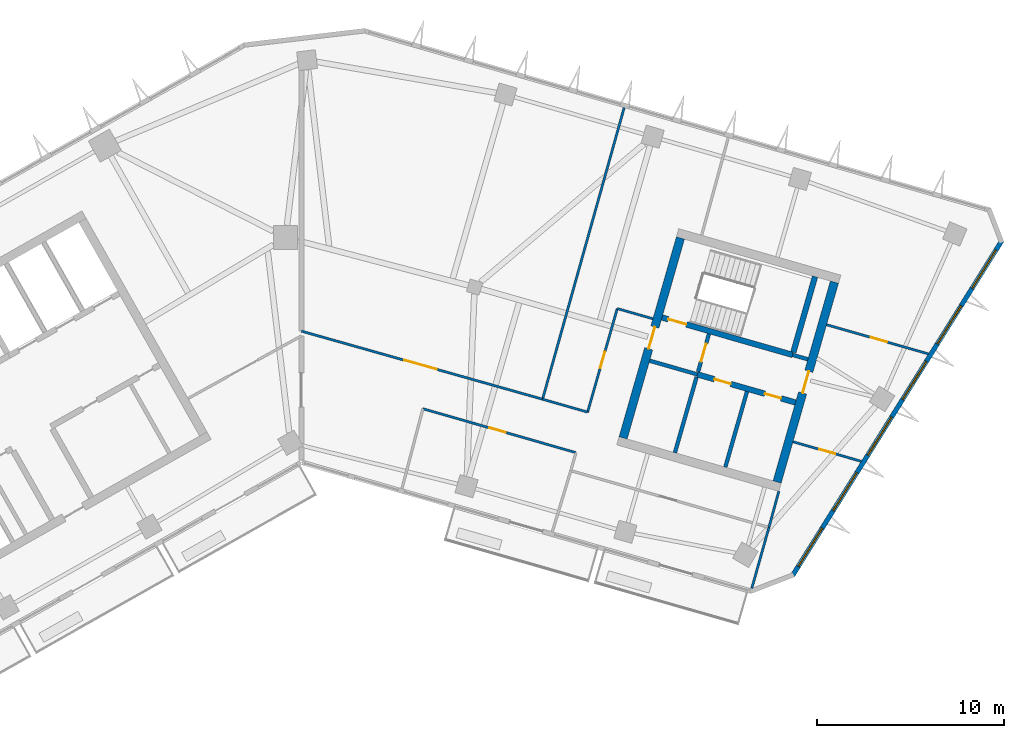
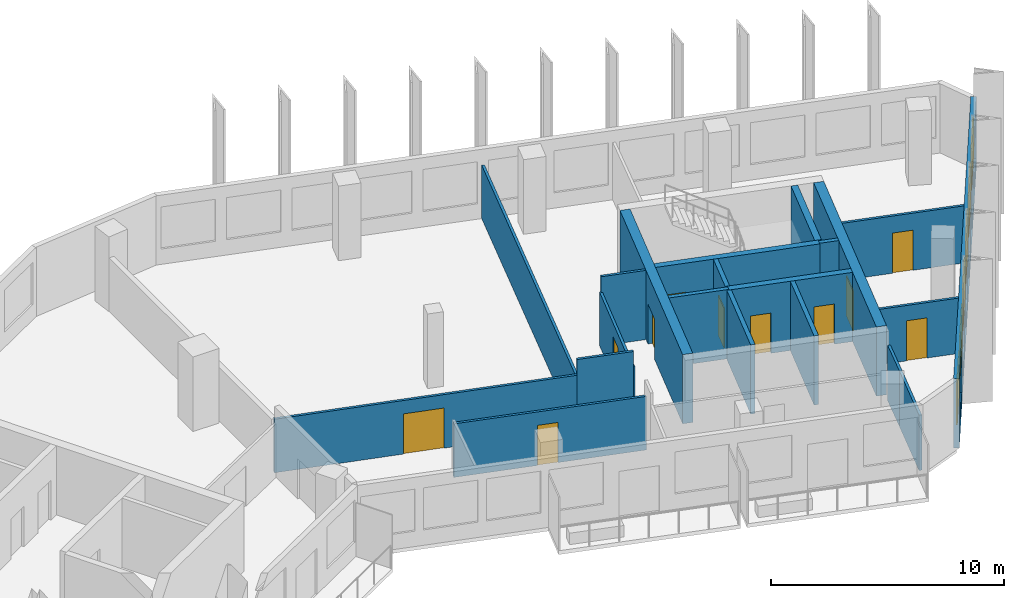
# One storey, part 7 of 11: 21 walls, 11 doors, 6 windows, 17 openings.
"""IFC4 building model written with IfcOpenShell, lengths in metres."""

from ifc_helpers import new_model, si_unit, direction, frame, frame_2d, origin, place, context, subcontext, project, spatial, rectangle, extrude, material, layer, layer_set, type_object, element, fill, save


model = new_model("IFC4")

# Units and contexts
model_context = context("Model", 3, precision=1e-05, world=origin(), true_north=direction((0.0, 1.0)))
body_context = subcontext(model_context, "Body", "Model", "MODEL_VIEW")
ifc_project = project(units=[si_unit("LENGTHUNIT", "METRE"), si_unit("AREAUNIT", "SQUARE_METRE"), si_unit("VOLUMEUNIT", "CUBIC_METRE"), si_unit("PLANEANGLEUNIT", "RADIAN"), si_unit("MASSUNIT", "GRAM", prefix="KILO")], contexts=[model_context])

# Site, building, storey
site_placement = place(None, origin())
site = spatial("IfcSite", under=ifc_project, at=site_placement, CompositionType="ELEMENT")
building_placement = place(site_placement, origin())
building = spatial("IfcBuilding", under=site, at=building_placement, Name="Binnacle Exchange Tower", CompositionType="ELEMENT")
storey_placement = place(building_placement, frame((0.0, 0.0, 223.10009765625)))
storey = spatial("IfcBuildingStorey", under=building, at=storey_placement, Name="L49", CompositionType="ELEMENT", Elevation=223.10009765625)

# Wall
ifc_material_1 = material(Name="Gypsum partition fire rated")
ifc_layer_1 = layer(ifc_material_1, 0.199951171875)
ifc_layer_set_1 = layer_set([ifc_layer_1], Name="Core partition 200")
wall_type_1 = type_object("IfcWallType", Name="Core partition 200", PredefinedType="PARTITIONING", material=ifc_layer_set_1)
wall_1_placement = place(storey_placement, frame((22.623291015625, 47.7392578125, 0.0), z_axis=(0.0, 0.0, 1.0), x_axis=(0.275642273411, 0.961260285827, 0.0)))
element("IfcWall", 1, at=wall_1_placement, inside=storey, type_object=wall_type_1, Name="Core wall CRWD10", PredefinedType="PARTITIONING", context=body_context, shape_type="SweptSolid", body=[
    extrude(rectangle(XDim=4.199951171875, YDim=0.199951171875, at=frame_2d((2.10009765625, 0.0))), origin(), (0.0, 0.0, 1.0), 3.619873046875),
])

# Wall, openings, doors
ifc_material_2 = material(Name="Concrete C70/85", Category="concrete")
ifc_layer_2 = layer(ifc_material_2, 0.300048828125)
ifc_layer_set_2 = layer_set([ifc_layer_2], Name="Core wall - front 300")
wall_type_2 = type_object("IfcWallType", Name="Core wall - front 300", PredefinedType="SOLIDWALL", material=ifc_layer_set_2)
wall_2_placement = place(storey_placement, frame((21.130859375, 52.6923828125, 0.0), z_axis=(0.0, 0.0, 1.0), x_axis=(0.961261488075, -0.275638080722, 0.0)))
wall_2 = element("IfcWall", 2, at=wall_2_placement, inside=storey, type_object=wall_type_2, Name="Core wall CRWD3", PredefinedType="SOLIDWALL", context=body_context, shape_type="SweptSolid", body=[
    extrude(rectangle(XDim=5.449951171875, YDim=0.300048828125, at=frame_2d((2.72509765625, 0.0))), origin(), (0.0, 0.0, 1.0), 3.619873046875),
])
opening_1_placement = place(wall_2_placement, frame((0.949951171875, 0.0, 0.0)))
opening_1 = element("IfcOpeningElement", 3, at=opening_1_placement, cuts=wall_2, Name="Opening DD10", PredefinedType="OPENING", context=body_context, shape_type="SweptSolid", body=[
    extrude(rectangle(XDim=0.89990234375, YDim=2.10009765625, at=frame_2d((0.449951171875, 1.050048828125))), frame((0.0, 0.159912109375, 0.0), z_axis=(0.0, -1.0, 0.0), x_axis=(1.0, 0.0, 0.0)), (0.0, 0.0, 1.0), 0.320068359375),
])
opening_2_placement = place(wall_2_placement, frame((3.75, 0.0, 0.0)))
opening_2 = element("IfcOpeningElement", 4, at=opening_2_placement, cuts=wall_2, Name="Opening DD11", PredefinedType="OPENING", context=body_context, shape_type="SweptSolid", body=[
    extrude(rectangle(XDim=0.89990234375, YDim=2.10009765625, at=frame_2d((0.449951171875, 1.050048828125))), frame((0.0, 0.159912109375, 0.0), z_axis=(0.0, -1.0, 0.0), x_axis=(1.0, 0.0, 0.0)), (0.0, 0.0, 1.0), 0.320068359375),
])
ifc_material_3 = material(Name="Steel door leaf", Category="steel")
door_type_1 = type_object("IfcDoorType", Name="Fire door 900", OperationType="NOTDEFINED", PredefinedType="DOOR", material=ifc_material_3)
door_1_placement = place(opening_1_placement, frame((0.89990234375, 0.0, 0.0), z_axis=(0.0, 0.0, 1.0), x_axis=(-1.0, 0.0, 0.0)))
door_1 = element("IfcDoor", 5, at=door_1_placement, inside=storey, type_object=door_type_1, Name="Core room door COMMS RISER ROOM", OperationType="SINGLE_SWING_RIGHT", OverallHeight=2.10009765625, OverallWidth=0.89990234375, PredefinedType="DOOR", context=body_context, shape_type="SweptSolid", body=[
    extrude(rectangle(XDim=0.89990234375, YDim=2.10009765625, at=frame_2d((0.449951171875, 1.050048828125))), frame((0.0, 0.02490234375, 0.0), z_axis=(0.0, -1.0, 0.0), x_axis=(1.0, 0.0, 0.0)), (0.0, 0.0, 1.0), 0.050048828125),
])
fill(opening_1, door_1)
door_2_placement = place(opening_2_placement, frame((0.89990234375, 0.0, 0.0), z_axis=(0.0, 0.0, 1.0), x_axis=(-1.0, 0.0, 0.0)))
door_2 = element("IfcDoor", 6, at=door_2_placement, inside=storey, type_object=door_type_1, Name="Core room door CLEANERS STORE", OperationType="SINGLE_SWING_LEFT", OverallHeight=2.10009765625, OverallWidth=0.89990234375, PredefinedType="DOOR", context=body_context, shape_type="SweptSolid", body=[
    extrude(rectangle(XDim=0.89990234375, YDim=2.10009765625, at=frame_2d((0.449951171875, 1.050048828125))), frame((0.0, 0.02490234375, 0.0), z_axis=(0.0, -1.0, 0.0), x_axis=(1.0, 0.0, 0.0)), (0.0, 0.0, 1.0), 0.050048828125),
])
fill(opening_2, door_2)

# Wall, opening, door
ifc_layer_3 = layer(ifc_material_2, 0.449951171875)
ifc_layer_set_3 = layer_set([ifc_layer_3], Name="Core wall - outer 450")
wall_type_3 = type_object("IfcWallType", Name="Core wall - outer 450", PredefinedType="SOLIDWALL", material=ifc_layer_set_3)
wall_3_placement = place(storey_placement, frame((17.168212890625, 49.303466796875, 0.0), z_axis=(0.0, 0.0, 1.0), x_axis=(0.275638974822, 0.961261231695, 0.0)))
wall_3 = element("IfcWall", 7, at=wall_3_placement, inside=storey, type_object=wall_type_3, Name="Core wall CRWD7", PredefinedType="SOLIDWALL", context=body_context, shape_type="SweptSolid", body=[
    extrude(rectangle(XDim=11.099853515625, YDim=0.449951171875, at=frame_2d((5.5498046875, 0.0))), origin(), (0.0, 0.0, 1.0), 3.619873046875),
])
opening_3_placement = place(wall_3_placement, frame((4.9501953125, 0.0, 0.0)))
opening_3 = element("IfcOpeningElement", 8, at=opening_3_placement, cuts=wall_3, Name="Opening DD5", PredefinedType="OPENING", context=body_context, shape_type="SweptSolid", body=[
    extrude(rectangle(XDim=1.199951171875, YDim=2.10009765625, at=frame_2d((0.60009765625, 1.050048828125))), frame((0.0, 0.23486328125, 0.0), z_axis=(0.0, -1.0, 0.0), x_axis=(1.0, 0.0, 0.0)), (0.0, 0.0, 1.0), 0.469970703125),
])
door_type_2 = type_object("IfcDoorType", Name="Fire door 1200", OperationType="NOTDEFINED", PredefinedType="DOOR", material=ifc_material_3)
door_3_placement = place(opening_3_placement, origin())
door_3 = element("IfcDoor", 9, at=door_3_placement, inside=storey, type_object=door_type_2, Name="Vestibule exit door VEST-W", OperationType="SINGLE_SWING_RIGHT", OverallHeight=2.10009765625, OverallWidth=1.199951171875, PredefinedType="DOOR", context=body_context, shape_type="SweptSolid", body=[
    extrude(rectangle(XDim=1.199951171875, YDim=2.10009765625, at=frame_2d((0.60009765625, 1.050048828125))), frame((0.0, 0.02490234375, 0.0), z_axis=(0.0, -1.0, 0.0), x_axis=(1.0, 0.0, 0.0)), (0.0, 0.0, 1.0), 0.050048828125),
])
fill(opening_3, door_3)

wall_4_placement = place(storey_placement, frame((25.386962890625, 46.94677734375, 0.0), z_axis=(0.0, 0.0, 1.0), x_axis=(0.275638974822, 0.961261231695, 0.0)))
wall_4 = element("IfcWall", 10, at=wall_4_placement, inside=storey, type_object=wall_type_3, Name="Core wall CRWD12", PredefinedType="SOLIDWALL", context=body_context, shape_type="SweptSolid", body=[
    extrude(rectangle(XDim=11.099853515625, YDim=0.449951171875, at=frame_2d((5.5498046875, 0.0))), origin(), (0.0, 0.0, 1.0), 3.619873046875),
])
opening_4_placement = place(wall_4_placement, frame((4.949951171875, 0.0, 0.0)))
opening_4 = element("IfcOpeningElement", 11, at=opening_4_placement, cuts=wall_4, Name="Opening DD6", PredefinedType="OPENING", context=body_context, shape_type="SweptSolid", body=[
    extrude(rectangle(XDim=1.199951171875, YDim=2.10009765625, at=frame_2d((0.60009765625, 1.050048828125))), frame((0.0, 0.23486328125, 0.0), z_axis=(0.0, -1.0, 0.0), x_axis=(1.0, 0.0, 0.0)), (0.0, 0.0, 1.0), 0.469970703125),
])
door_4_placement = place(opening_4_placement, frame((1.199951171875, 0.0, 0.0), z_axis=(0.0, 0.0, 1.0), x_axis=(-1.0, 0.0, 0.0)))
door_4 = element("IfcDoor", 12, at=door_4_placement, inside=storey, type_object=door_type_2, Name="Core passage exit door", OperationType="SINGLE_SWING_RIGHT", OverallHeight=2.10009765625, OverallWidth=1.199951171875, PredefinedType="DOOR", context=body_context, shape_type="SweptSolid", body=[
    extrude(rectangle(XDim=1.199951171875, YDim=2.10009765625, at=frame_2d((0.60009765625, 1.050048828125))), frame((0.0, 0.02490234375, 0.0), z_axis=(0.0, -1.0, 0.0), x_axis=(1.0, 0.0, 0.0)), (0.0, 0.0, 1.0), 0.050048828125),
])
fill(opening_4, door_4)

ifc_layer_4 = layer(ifc_material_2, 0.300048828125)
ifc_layer_set_4 = layer_set([ifc_layer_4], Name="Core wall - stair 300")
wall_type_4 = type_object("IfcWallType", Name="Core wall - stair 300", PredefinedType="SOLIDWALL", material=ifc_layer_set_4)
wall_5_placement = place(storey_placement, frame((19.2451171875, 55.72998046875, 0.0), z_axis=(0.0, 0.0, 1.0), x_axis=(0.961263007877, -0.275632780503, 0.0)))
wall_5 = element("IfcWall", 13, at=wall_5_placement, inside=storey, type_object=wall_type_4, Name="Core wall CRWD4", PredefinedType="SOLIDWALL", context=body_context, shape_type="SweptSolid", body=[
    extrude(rectangle(XDim=7.249755859375, YDim=0.300048828125, at=frame_2d((3.625, 0.0))), origin(), (0.0, 0.0, 1.0), 3.619873046875),
])
opening_5_placement = place(wall_5_placement, frame((0.35009765625, 0.0, 0.0)))
opening_5 = element("IfcOpeningElement", 14, at=opening_5_placement, cuts=wall_5, Name="Opening DD1", PredefinedType="OPENING", context=body_context, shape_type="SweptSolid", body=[
    extrude(rectangle(XDim=1.0, YDim=2.10009765625, at=frame_2d((0.5, 1.050048828125))), frame((0.0, 0.159912109375, 0.0), z_axis=(0.0, -1.0, 0.0), x_axis=(1.0, 0.0, 0.0)), (0.0, 0.0, 1.0), 0.320068359375),
])
door_type_3 = type_object("IfcDoorType", Name="Fire door 1000", OperationType="NOTDEFINED", PredefinedType="DOOR", material=ifc_material_3)
door_5_placement = place(opening_5_placement, origin())
door_5 = element("IfcDoor", 15, at=door_5_placement, inside=storey, type_object=door_type_3, Name="Stair door ST-D1", OperationType="SINGLE_SWING_LEFT", OverallHeight=2.10009765625, OverallWidth=1.0, PredefinedType="DOOR", context=body_context, shape_type="SweptSolid", body=[
    extrude(rectangle(XDim=1.0, YDim=2.10009765625, at=frame_2d((0.5, 1.050048828125))), frame((0.0, 0.02490234375, 0.0), z_axis=(0.0, -1.0, 0.0), x_axis=(1.0, 0.0, 0.0)), (0.0, 0.0, 1.0), 0.050048828125),
])
fill(opening_5, door_5)

# Wall
wall_6_placement = place(storey_placement, frame((26.255615234375, 53.875732421875, 0.0), z_axis=(0.0, 0.0, 1.0), x_axis=(0.275588560745, 0.96127568636, 0.0)))
element("IfcWall", 16, at=wall_6_placement, inside=storey, type_object=wall_type_4, Name="Core wall CRWD11", PredefinedType="SOLIDWALL", context=body_context, shape_type="SweptSolid", body=[
    extrude(rectangle(XDim=4.199951171875, YDim=0.300048828125, at=frame_2d((2.10009765625, 0.0))), origin(), (0.0, 0.0, 1.0), 3.619873046875),
])

# Wall, openings, windows
ifc_material_4 = material(Name="Bronze aluminium cladding", Category="aluminium")
ifc_layer_5 = layer(ifc_material_4, 0.25)
ifc_layer_set_5 = layer_set([ifc_layer_5], Name="External wall - window wall 250")
wall_type_5 = type_object("IfcWallType", Name="External wall - window wall 250", PredefinedType="STANDARD", material=ifc_layer_set_5)
wall_7_placement = place(storey_placement, frame((37.392333984375, 59.84033203125, 0.0), z_axis=(0.0, 0.0, 1.0), x_axis=(-0.529919909431, -0.848047692992, 0.0)))
wall_7 = element("IfcWall", 17, at=wall_7_placement, inside=storey, type_object=wall_type_5, Name="External wall EW-G04 L49", PredefinedType="STANDARD", context=body_context, shape_type="SweptSolid", body=[
    extrude(rectangle(XDim=21.104248046875, YDim=0.25, at=frame_2d((10.55224609375, 0.0))), origin(), (0.0, 0.0, 1.0), 3.619873046875),
])
opening_6_placement = place(wall_7_placement, frame((18.1123046875, 0.0, 0.800048828125)))
opening_6 = element("IfcOpeningElement", 18, at=opening_6_placement, cuts=wall_7, Name="Opening WR1", PredefinedType="OPENING", context=body_context, shape_type="SweptSolid", body=[
    extrude(rectangle(XDim=2.39990234375, YDim=2.199951171875, at=frame_2d((1.199951171875, 1.10009765625))), frame((0.0, 0.135009765625, 0.0), z_axis=(0.0, -1.0, 0.0), x_axis=(1.0, 0.0, 0.0)), (0.0, 0.0, 1.0), 0.27001953125),
])
opening_7_placement = place(wall_7_placement, frame((14.6123046875, 0.0, 0.800048828125)))
opening_7 = element("IfcOpeningElement", 19, at=opening_7_placement, cuts=wall_7, Name="Opening WR1", PredefinedType="OPENING", context=body_context, shape_type="SweptSolid", body=[
    extrude(rectangle(XDim=2.39990234375, YDim=2.199951171875, at=frame_2d((1.199951171875, 1.10009765625))), frame((0.0, 0.135009765625, 0.0), z_axis=(0.0, -1.0, 0.0), x_axis=(1.0, 0.0, 0.0)), (0.0, 0.0, 1.0), 0.27001953125),
])
opening_8_placement = place(wall_7_placement, frame((11.1123046875, 0.0, 0.800048828125)))
opening_8 = element("IfcOpeningElement", 20, at=opening_8_placement, cuts=wall_7, Name="Opening WR1", PredefinedType="OPENING", context=body_context, shape_type="SweptSolid", body=[
    extrude(rectangle(XDim=2.39990234375, YDim=2.199951171875, at=frame_2d((1.199951171875, 1.10009765625))), frame((0.0, 0.135009765625, 0.0), z_axis=(0.0, -1.0, 0.0), x_axis=(1.0, 0.0, 0.0)), (0.0, 0.0, 1.0), 0.27001953125),
])
opening_9_placement = place(wall_7_placement, frame((7.6123046875, 0.0, 0.800048828125)))
opening_9 = element("IfcOpeningElement", 21, at=opening_9_placement, cuts=wall_7, Name="Opening WR1", PredefinedType="OPENING", context=body_context, shape_type="SweptSolid", body=[
    extrude(rectangle(XDim=2.39990234375, YDim=2.199951171875, at=frame_2d((1.199951171875, 1.10009765625))), frame((0.0, 0.135009765625, 0.0), z_axis=(0.0, -1.0, 0.0), x_axis=(1.0, 0.0, 0.0)), (0.0, 0.0, 1.0), 0.27001953125),
])
opening_10_placement = place(wall_7_placement, frame((4.1123046875, 0.0, 0.800048828125)))
opening_10 = element("IfcOpeningElement", 22, at=opening_10_placement, cuts=wall_7, Name="Opening WR1", PredefinedType="OPENING", context=body_context, shape_type="SweptSolid", body=[
    extrude(rectangle(XDim=2.39990234375, YDim=2.199951171875, at=frame_2d((1.199951171875, 1.10009765625))), frame((0.0, 0.135009765625, 0.0), z_axis=(0.0, -1.0, 0.0), x_axis=(1.0, 0.0, 0.0)), (0.0, 0.0, 1.0), 0.27001953125),
])
opening_11_placement = place(wall_7_placement, frame((0.6123046875, 0.0, 0.800048828125)))
opening_11 = element("IfcOpeningElement", 23, at=opening_11_placement, cuts=wall_7, Name="Opening WR1", PredefinedType="OPENING", context=body_context, shape_type="SweptSolid", body=[
    extrude(rectangle(XDim=2.39990234375, YDim=2.199951171875, at=frame_2d((1.199951171875, 1.10009765625))), frame((0.0, 0.135009765625, 0.0), z_axis=(0.0, -1.0, 0.0), x_axis=(1.0, 0.0, 0.0)), (0.0, 0.0, 1.0), 0.27001953125),
])
ifc_material_5 = material(Name="Bronze anodised aluminium frame", Category="aluminium")
window_type = type_object("IfcWindowType", Name="WR1 WINDOW 2400x2200", PartitioningType="SINGLE_PANEL", PredefinedType="WINDOW", material=ifc_material_5)
window_1_placement = place(opening_6_placement, origin())
window_1 = element("IfcWindow", 24, at=window_1_placement, inside=storey, type_object=window_type, Name="Window WR1 L49", OverallHeight=2.199951171875, OverallWidth=2.39990234375, PartitioningType="SINGLE_PANEL", PredefinedType="WINDOW", context=body_context, shape_type="SweptSolid", body=[
    extrude(rectangle(XDim=2.39990234375, YDim=2.199951171875, at=frame_2d((1.199951171875, 1.10009765625))), frame((0.0, 0.030029296875, 0.0), z_axis=(0.0, -1.0, 0.0), x_axis=(1.0, 0.0, 0.0)), (0.0, 0.0, 1.0), 0.06005859375),
])
fill(opening_6, window_1)
window_2_placement = place(opening_7_placement, origin())
window_2 = element("IfcWindow", 25, at=window_2_placement, inside=storey, type_object=window_type, Name="Window WR1 L49", OverallHeight=2.199951171875, OverallWidth=2.39990234375, PartitioningType="SINGLE_PANEL", PredefinedType="WINDOW", context=body_context, shape_type="SweptSolid", body=[
    extrude(rectangle(XDim=2.39990234375, YDim=2.199951171875, at=frame_2d((1.199951171875, 1.10009765625))), frame((0.0, 0.030029296875, 0.0), z_axis=(0.0, -1.0, 0.0), x_axis=(1.0, 0.0, 0.0)), (0.0, 0.0, 1.0), 0.06005859375),
])
fill(opening_7, window_2)
window_3_placement = place(opening_8_placement, origin())
window_3 = element("IfcWindow", 26, at=window_3_placement, inside=storey, type_object=window_type, Name="Window WR1 L49", OverallHeight=2.199951171875, OverallWidth=2.39990234375, PartitioningType="SINGLE_PANEL", PredefinedType="WINDOW", context=body_context, shape_type="SweptSolid", body=[
    extrude(rectangle(XDim=2.39990234375, YDim=2.199951171875, at=frame_2d((1.199951171875, 1.10009765625))), frame((0.0, 0.030029296875, 0.0), z_axis=(0.0, -1.0, 0.0), x_axis=(1.0, 0.0, 0.0)), (0.0, 0.0, 1.0), 0.06005859375),
])
fill(opening_8, window_3)
window_4_placement = place(opening_9_placement, origin())
window_4 = element("IfcWindow", 27, at=window_4_placement, inside=storey, type_object=window_type, Name="Window WR1 L49", OverallHeight=2.199951171875, OverallWidth=2.39990234375, PartitioningType="SINGLE_PANEL", PredefinedType="WINDOW", context=body_context, shape_type="SweptSolid", body=[
    extrude(rectangle(XDim=2.39990234375, YDim=2.199951171875, at=frame_2d((1.199951171875, 1.10009765625))), frame((0.0, 0.030029296875, 0.0), z_axis=(0.0, -1.0, 0.0), x_axis=(1.0, 0.0, 0.0)), (0.0, 0.0, 1.0), 0.06005859375),
])
fill(opening_9, window_4)
window_5_placement = place(opening_10_placement, origin())
window_5 = element("IfcWindow", 28, at=window_5_placement, inside=storey, type_object=window_type, Name="Window WR1 L49", OverallHeight=2.199951171875, OverallWidth=2.39990234375, PartitioningType="SINGLE_PANEL", PredefinedType="WINDOW", context=body_context, shape_type="SweptSolid", body=[
    extrude(rectangle(XDim=2.39990234375, YDim=2.199951171875, at=frame_2d((1.199951171875, 1.10009765625))), frame((0.0, 0.030029296875, 0.0), z_axis=(0.0, -1.0, 0.0), x_axis=(1.0, 0.0, 0.0)), (0.0, 0.0, 1.0), 0.06005859375),
])
fill(opening_10, window_5)
window_6_placement = place(opening_11_placement, origin())
window_6 = element("IfcWindow", 29, at=window_6_placement, inside=storey, type_object=window_type, Name="Window WR1 L49", OverallHeight=2.199951171875, OverallWidth=2.39990234375, PartitioningType="SINGLE_PANEL", PredefinedType="WINDOW", context=body_context, shape_type="SweptSolid", body=[
    extrude(rectangle(XDim=2.39990234375, YDim=2.199951171875, at=frame_2d((1.199951171875, 1.10009765625))), frame((0.0, 0.030029296875, 0.0), z_axis=(0.0, -1.0, 0.0), x_axis=(1.0, 0.0, 0.0)), (0.0, 0.0, 1.0), 0.06005859375),
])
fill(opening_11, window_6)

# Wall, opening, door
ifc_material_6 = material(Name="Masonry block wall", Category="masonry")
ifc_layer_6 = layer(ifc_material_6, 0.199951171875)
ifc_layer_set_6 = layer_set([ifc_layer_6], Name="Fire wall - vestibule 200")
wall_type_6 = type_object("IfcWallType", Name="Fire wall - vestibule 200", PredefinedType="PARTITIONING", material=ifc_layer_set_6)
wall_8_placement = place(storey_placement, frame((21.172119140625, 52.836669921875, 0.0), z_axis=(0.0, 0.0, 1.0), x_axis=(0.275657676022, 0.961255868981, 0.0)))
wall_8 = element("IfcWall", 30, at=wall_8_placement, inside=storey, type_object=wall_type_6, Name="Core wall CRWD9", PredefinedType="PARTITIONING", context=body_context, shape_type="SweptSolid", body=[
    extrude(rectangle(XDim=2.099853515625, YDim=0.199951171875, at=frame_2d((1.0498046875, 0.0))), origin(), (0.0, 0.0, 1.0), 3.619873046875),
])
opening_12_placement = place(wall_8_placement, frame((0.550048828125, 0.0, 0.0)))
opening_12 = element("IfcOpeningElement", 31, at=opening_12_placement, cuts=wall_8, Name="Opening DD3", PredefinedType="OPENING", context=body_context, shape_type="SweptSolid", body=[
    extrude(rectangle(XDim=1.0, YDim=2.10009765625, at=frame_2d((0.5, 1.050048828125))), frame((0.0, 0.10986328125, 0.0), z_axis=(0.0, -1.0, 0.0), x_axis=(1.0, 0.0, 0.0)), (0.0, 0.0, 1.0), 0.219970703125),
])
door_6_placement = place(opening_12_placement, origin())
door_6 = element("IfcDoor", 32, at=door_6_placement, inside=storey, type_object=door_type_3, Name="Vestibule door VEST-W", OperationType="SINGLE_SWING_RIGHT", OverallHeight=2.10009765625, OverallWidth=1.0, PredefinedType="DOOR", context=body_context, shape_type="SweptSolid", body=[
    extrude(rectangle(XDim=1.0, YDim=2.10009765625, at=frame_2d((0.5, 1.050048828125))), frame((0.0, 0.02490234375, 0.0), z_axis=(0.0, -1.0, 0.0), x_axis=(1.0, 0.0, 0.0)), (0.0, 0.0, 1.0), 0.050048828125),
])
fill(opening_12, door_6)

ifc_material_7 = material(Name="Gypsum partition")
ifc_layer_7 = layer(ifc_material_7, 0.125)
ifc_layer_set_7 = layer_set([ifc_layer_7], Name="Partition 125")
wall_type_7 = type_object("IfcWallType", Name="Partition 125", PredefinedType="PARTITIONING", material=ifc_layer_set_7)
wall_9_placement = place(storey_placement, frame((0.0, 55.0, 0.0), z_axis=(0.0, 0.0, 1.0), x_axis=(0.962402937884, -0.271625818271, 0.0)))
wall_9 = element("IfcWall", 33, at=wall_9_placement, inside=storey, type_object=wall_type_7, Name="Partition W24", PredefinedType="PARTITIONING", context=body_context, shape_type="SweptSolid", body=[
    extrude(rectangle(XDim=13.37158203125, YDim=0.125, at=frame_2d((6.685791015625, 0.0))), origin(), (0.0, 0.0, 1.0), 2.7998046875),
])
opening_13_placement = place(wall_9_placement, frame((5.699951171875, 0.0, 0.0)))
opening_13 = element("IfcOpeningElement", 34, at=opening_13_placement, cuts=wall_9, Name="Opening DL48-10", PredefinedType="OPENING", context=body_context, shape_type="SweptSolid", body=[
    extrude(rectangle(XDim=1.800048828125, YDim=2.10009765625, at=frame_2d((0.89990234375, 1.050048828125))), frame((0.0, 0.072509765625, 0.0), z_axis=(0.0, -1.0, 0.0), x_axis=(1.0, 0.0, 0.0)), (0.0, 0.0, 1.0), 0.14501953125),
])
ifc_material_8 = material(Name="Timber door leaf", Category="wood")
door_type_4 = type_object("IfcDoorType", Name="Double door 1800", OperationType="NOTDEFINED", PredefinedType="DOOR", material=ifc_material_8)
door_7_placement = place(opening_13_placement, origin())
door_7 = element("IfcDoor", 35, at=door_7_placement, inside=storey, type_object=door_type_4, Name="Door DL48-10", OperationType="DOUBLE_DOOR_SINGLE_SWING", OverallHeight=2.10009765625, OverallWidth=1.800048828125, PredefinedType="DOOR", context=body_context, shape_type="SweptSolid", body=[
    extrude(rectangle(XDim=1.800048828125, YDim=2.10009765625, at=frame_2d((0.89990234375, 1.050048828125))), frame((0.0, 0.02490234375, 0.0), z_axis=(0.0, -1.0, 0.0), x_axis=(1.0, 0.0, 0.0)), (0.0, 0.0, 1.0), 0.050048828125),
])
fill(opening_13, door_7)

wall_10_placement = place(storey_placement, frame((6.48193359375, 50.85888671875, 0.0), z_axis=(0.0, 0.0, 1.0), x_axis=(0.961261196169, -0.275639098713, 0.0)))
wall_10 = element("IfcWall", 36, at=wall_10_placement, inside=storey, type_object=wall_type_7, Name="Partition W26", PredefinedType="PARTITIONING", context=body_context, shape_type="SweptSolid", body=[
    extrude(rectangle(XDim=8.49951171875, YDim=0.125, at=frame_2d((4.249755859375, 0.0))), origin(), (0.0, 0.0, 1.0), 2.7998046875),
])
opening_14_placement = place(wall_10_placement, frame((3.699951171875, 0.0, 0.0)))
opening_14 = element("IfcOpeningElement", 37, at=opening_14_placement, cuts=wall_10, Name="Opening DL48-12", PredefinedType="OPENING", context=body_context, shape_type="SweptSolid", body=[
    extrude(rectangle(XDim=0.89990234375, YDim=2.10009765625, at=frame_2d((0.449951171875, 1.050048828125))), frame((0.0, 0.072509765625, 0.0), z_axis=(0.0, -1.0, 0.0), x_axis=(1.0, 0.0, 0.0)), (0.0, 0.0, 1.0), 0.14501953125),
])
door_type_5 = type_object("IfcDoorType", Name="Door 900", OperationType="NOTDEFINED", PredefinedType="DOOR", material=ifc_material_8)
door_8_placement = place(opening_14_placement, frame((0.89990234375, 0.0, 0.0), z_axis=(0.0, 0.0, 1.0), x_axis=(-1.0, 0.0, 0.0)))
door_8 = element("IfcDoor", 38, at=door_8_placement, inside=storey, type_object=door_type_5, Name="Door DL48-12", OperationType="SINGLE_SWING_RIGHT", OverallHeight=2.10009765625, OverallWidth=0.89990234375, PredefinedType="DOOR", context=body_context, shape_type="SweptSolid", body=[
    extrude(rectangle(XDim=0.89990234375, YDim=2.10009765625, at=frame_2d((0.449951171875, 1.050048828125))), frame((0.0, 0.02490234375, 0.0), z_axis=(0.0, -1.0, 0.0), x_axis=(1.0, 0.0, 0.0)), (0.0, 0.0, 1.0), 0.050048828125),
])
fill(opening_14, door_8)

# Walls
wall_11_placement = place(storey_placement, frame((12.868896484375, 51.367919921875, 0.0), z_axis=(0.0, 0.0, 1.0), x_axis=(0.961302601161, -0.275494662382, 0.0)))
element("IfcWall", 39, at=wall_11_placement, inside=storey, type_object=wall_type_7, Name="Partition W27", PredefinedType="PARTITIONING", context=body_context, shape_type="SweptSolid", body=[
    extrude(rectangle(XDim=2.500732421875, YDim=0.125, at=frame_2d((1.25048828125, 0.0))), origin(), (0.0, 0.0, 1.0), 3.619873046875),
])
wall_12_placement = place(storey_placement, frame((12.868896484375, 51.367919921875, 0.0), z_axis=(0.0, 0.0, 1.0), x_axis=(0.269547555311, 0.962987079574, 0.0)))
element("IfcWall", 40, at=wall_12_placement, inside=storey, type_object=wall_type_7, Name="Partition W28", PredefinedType="PARTITIONING", context=body_context, shape_type="SweptSolid", body=[
    extrude(rectangle(XDim=16.1611328125, YDim=0.125, at=frame_2d((8.08056640625, 0.0))), origin(), (0.0, 0.0, 1.0), 2.7919921875),
])

# Wall, opening, door
wall_13_placement = place(storey_placement, frame((15.27294921875, 50.678955078125, 0.0), z_axis=(0.0, 0.0, 1.0), x_axis=(0.275494973205, 0.961302512084, 0.0)))
wall_13 = element("IfcWall", 41, at=wall_13_placement, inside=storey, type_object=wall_type_7, Name="Partition W32", PredefinedType="PARTITIONING", context=body_context, shape_type="SweptSolid", body=[
    extrude(rectangle(XDim=5.74951171875, YDim=0.125, at=frame_2d((2.874755859375, 0.0))), origin(), (0.0, 0.0, 1.0), 2.7998046875),
])
opening_15_placement = place(wall_13_placement, frame((2.449951171875, 0.0, 0.0)))
opening_15 = element("IfcOpeningElement", 42, at=opening_15_placement, cuts=wall_13, Name="Opening DL48-11", PredefinedType="OPENING", context=body_context, shape_type="SweptSolid", body=[
    extrude(rectangle(XDim=0.89990234375, YDim=2.10009765625, at=frame_2d((0.449951171875, 1.050048828125))), frame((0.0, 0.072509765625, 0.0), z_axis=(0.0, -1.0, 0.0), x_axis=(1.0, 0.0, 0.0)), (0.0, 0.0, 1.0), 0.14501953125),
])
door_9_placement = place(opening_15_placement, origin())
door_9 = element("IfcDoor", 43, at=door_9_placement, inside=storey, type_object=door_type_5, Name="Door DL48-11", OperationType="SINGLE_SWING_RIGHT", OverallHeight=2.10009765625, OverallWidth=0.89990234375, PredefinedType="DOOR", context=body_context, shape_type="SweptSolid", body=[
    extrude(rectangle(XDim=0.89990234375, YDim=2.10009765625, at=frame_2d((0.449951171875, 1.050048828125))), frame((0.0, 0.02490234375, 0.0), z_axis=(0.0, -1.0, 0.0), x_axis=(1.0, 0.0, 0.0)), (0.0, 0.0, 1.0), 0.050048828125),
])
fill(opening_15, door_9)

# Walls
wall_14_placement = place(storey_placement, frame((16.85693359375, 56.2060546875, 0.0), z_axis=(0.0, 0.0, 1.0), x_axis=(0.961383985066, -0.275210525341, 0.0)))
element("IfcWall", 44, at=wall_14_placement, inside=storey, type_object=wall_type_7, Name="Partition W33", PredefinedType="PARTITIONING", context=body_context, shape_type="SweptSolid", body=[
    extrude(rectangle(XDim=1.9765625, YDim=0.125, at=frame_2d((0.98828125, 0.0))), origin(), (0.0, 0.0, 1.0), 3.619873046875),
])
wall_15_placement = place(storey_placement, frame((24.035888671875, 41.27001953125, 0.0), z_axis=(0.0, 0.0, 1.0), x_axis=(0.270787421954, 0.962639170256, 0.0)))
element("IfcWall", 45, at=wall_15_placement, inside=storey, type_object=wall_type_7, Name="Partition W35", PredefinedType="PARTITIONING", context=body_context, shape_type="SweptSolid", body=[
    extrude(rectangle(XDim=3.379150390625, YDim=0.125, at=frame_2d((1.689453125, 0.0))), origin(), (0.0, 0.0, 1.0), 2.89990234375),
])
wall_16_placement = place(storey_placement, frame((24.950927734375, 44.52294921875, 0.0), z_axis=(0.0, 0.0, 1.0), x_axis=(0.264046927145, 0.964509834198, 0.0)))
element("IfcWall", 46, at=wall_16_placement, inside=storey, type_object=wall_type_7, Name="Partition W36", PredefinedType="PARTITIONING", context=body_context, shape_type="SweptSolid", body=[
    extrude(rectangle(XDim=2.0, YDim=0.125, at=frame_2d((1.0, 0.0))), origin(), (0.0, 0.0, 1.0), 2.89990234375),
])

# Wall, opening, door
wall_17_placement = place(storey_placement, frame((26.237060546875, 49.095947265625, 0.0), z_axis=(0.0, 0.0, 1.0), x_axis=(0.961285271066, -0.275555126304, 0.0)))
wall_17 = element("IfcWall", 47, at=wall_17_placement, inside=storey, type_object=wall_type_7, Name="Partition W37", PredefinedType="PARTITIONING", context=body_context, shape_type="SweptSolid", body=[
    extrude(rectangle(XDim=3.78857421875, YDim=0.125, at=frame_2d((1.894287109375, 0.0))), origin(), (0.0, 0.0, 1.0), 2.89990234375),
])
opening_16_placement = place(wall_17_placement, frame((1.449951171875, 0.0, 0.0)))
opening_16 = element("IfcOpeningElement", 48, at=opening_16_placement, cuts=wall_17, Name="Opening DL48-15", PredefinedType="OPENING", context=body_context, shape_type="SweptSolid", body=[
    extrude(rectangle(XDim=0.89990234375, YDim=2.10009765625, at=frame_2d((0.449951171875, 1.050048828125))), frame((0.0, 0.072509765625, 0.0), z_axis=(0.0, -1.0, 0.0), x_axis=(1.0, 0.0, 0.0)), (0.0, 0.0, 1.0), 0.14501953125),
])
door_10_placement = place(opening_16_placement, frame((0.89990234375, 0.0, 0.0), z_axis=(0.0, 0.0, 1.0), x_axis=(-1.0, 0.0, 0.0)))
door_10 = element("IfcDoor", 49, at=door_10_placement, inside=storey, type_object=door_type_5, Name="Door DL48-15", OperationType="SINGLE_SWING_LEFT", OverallHeight=2.10009765625, OverallWidth=0.89990234375, PredefinedType="DOOR", context=body_context, shape_type="SweptSolid", body=[
    extrude(rectangle(XDim=0.89990234375, YDim=2.10009765625, at=frame_2d((0.449951171875, 1.050048828125))), frame((0.0, 0.02490234375, 0.0), z_axis=(0.0, -1.0, 0.0), x_axis=(1.0, 0.0, 0.0)), (0.0, 0.0, 1.0), 0.050048828125),
])
fill(opening_16, door_10)

wall_18_placement = place(storey_placement, frame((28.029052734375, 55.343994140625, 0.0), z_axis=(0.0, 0.0, 1.0), x_axis=(0.961249621014, -0.275679462603, 0.0)))
wall_18 = element("IfcWall", 50, at=wall_18_placement, inside=storey, type_object=wall_type_7, Name="Partition W38", PredefinedType="PARTITIONING", context=body_context, shape_type="SweptSolid", body=[
    extrude(rectangle(XDim=5.65185546875, YDim=0.125, at=frame_2d((2.825927734375, 0.0))), origin(), (0.0, 0.0, 1.0), 2.98779296875),
])
opening_17_placement = place(wall_18_placement, frame((2.449951171875, 0.0, 0.0)))
opening_17 = element("IfcOpeningElement", 51, at=opening_17_placement, cuts=wall_18, Name="Opening DL48-14", PredefinedType="OPENING", context=body_context, shape_type="SweptSolid", body=[
    extrude(rectangle(XDim=0.89990234375, YDim=2.10009765625, at=frame_2d((0.449951171875, 1.050048828125))), frame((0.0, 0.072509765625, 0.0), z_axis=(0.0, -1.0, 0.0), x_axis=(1.0, 0.0, 0.0)), (0.0, 0.0, 1.0), 0.14501953125),
])
door_11_placement = place(opening_17_placement, origin())
door_11 = element("IfcDoor", 52, at=door_11_placement, inside=storey, type_object=door_type_5, Name="Door DL48-14", OperationType="SINGLE_SWING_RIGHT", OverallHeight=2.10009765625, OverallWidth=0.89990234375, PredefinedType="DOOR", context=body_context, shape_type="SweptSolid", body=[
    extrude(rectangle(XDim=0.89990234375, YDim=2.10009765625, at=frame_2d((0.449951171875, 1.050048828125))), frame((0.0, 0.02490234375, 0.0), z_axis=(0.0, -1.0, 0.0), x_axis=(1.0, 0.0, 0.0)), (0.0, 0.0, 1.0), 0.050048828125),
])
fill(opening_17, door_11)

# Walls
ifc_layer_8 = layer(ifc_material_6, 0.199951171875)
ifc_layer_set_8 = layer_set([ifc_layer_8], Name="Riser wall 200")
wall_type_8 = type_object("IfcWallType", Name="Riser wall 200", PredefinedType="SOLIDWALL", material=ifc_layer_set_8)
wall_19_placement = place(storey_placement, frame((18.58349609375, 53.4228515625, 0.0), z_axis=(0.0, 0.0, 1.0), x_axis=(0.961259287968, -0.275645753268, 0.0)))
element("IfcWall", 53, at=wall_19_placement, inside=storey, type_object=wall_type_8, Name="Core wall CRWD2", PredefinedType="SOLIDWALL", context=body_context, shape_type="SweptSolid", body=[
    extrude(rectangle(XDim=2.650146484375, YDim=0.199951171875, at=frame_2d((1.3251953125, 0.0))), origin(), (0.0, 0.0, 1.0), 3.619873046875),
])
wall_20_placement = place(storey_placement, frame((26.214111328125, 53.731689453125, 0.0), z_axis=(0.0, 0.0, 1.0), x_axis=(0.961241665642, -0.275707200184, 0.0)))
element("IfcWall", 54, at=wall_20_placement, inside=storey, type_object=wall_type_8, Name="Core wall CRWD5", PredefinedType="SOLIDWALL", context=body_context, shape_type="SweptSolid", body=[
    extrude(rectangle(XDim=0.85009765625, YDim=0.199951171875, at=frame_2d((0.425048828125, 0.0))), origin(), (0.0, 0.0, 1.0), 3.619873046875),
])
wall_21_placement = place(storey_placement, frame((19.931884765625, 48.510986328125, 0.0), z_axis=(0.0, 0.0, 1.0), x_axis=(0.275642273411, 0.961260285827, 0.0)))
element("IfcWall", 55, at=wall_21_placement, inside=storey, type_object=wall_type_8, Name="Core wall CRWD8", PredefinedType="SOLIDWALL", context=body_context, shape_type="SweptSolid", body=[
    extrude(rectangle(XDim=4.199951171875, YDim=0.199951171875, at=frame_2d((2.10009765625, 0.0))), origin(), (0.0, 0.0, 1.0), 3.619873046875),
])

save(model, "model.ifc")
